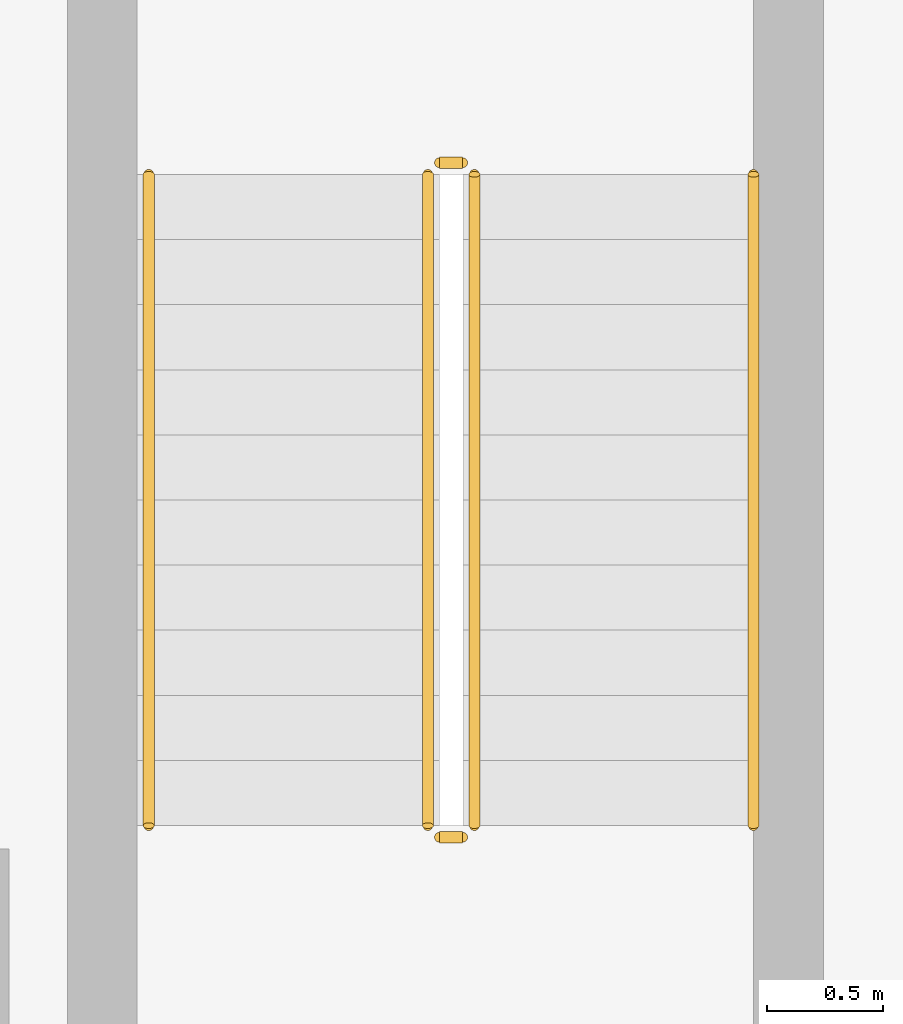
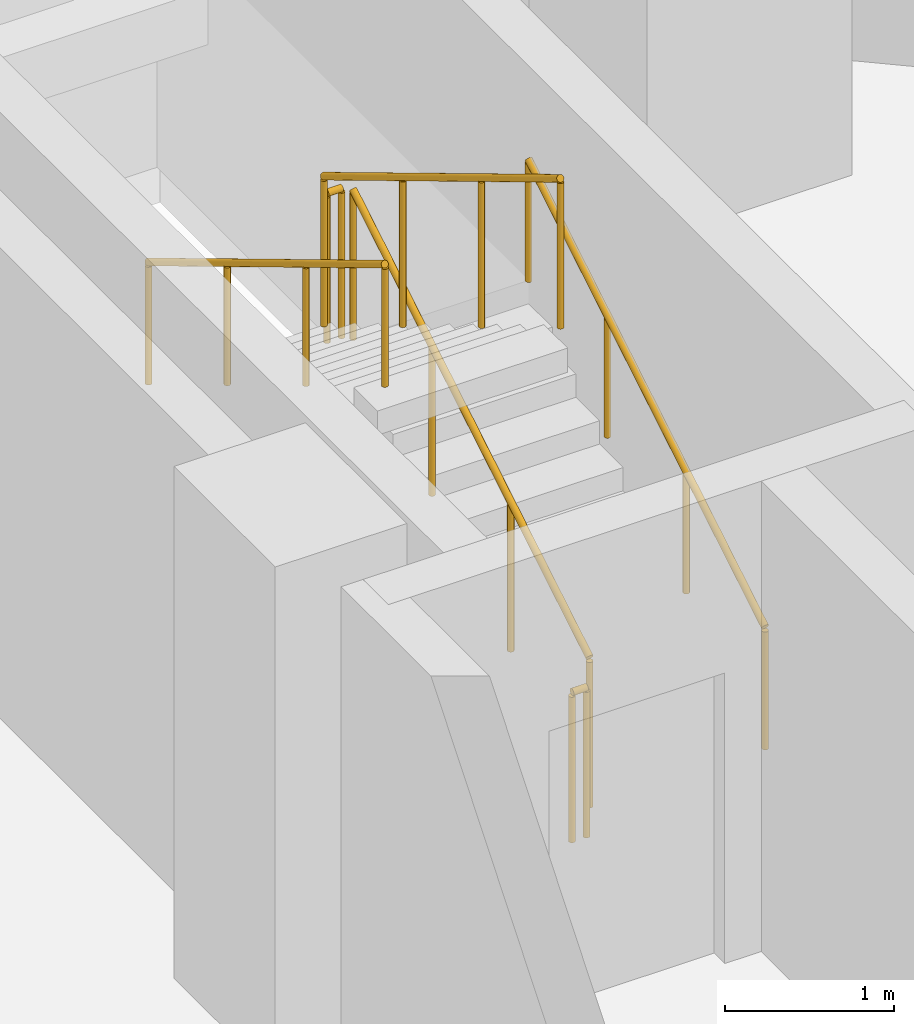
# One storey, part 30 of 31: 6 railings.
"""IFC4 building model written with IfcOpenShell, lengths in metres."""

from ifc_helpers import new_model, si_unit, direction, frame, origin, origin_2d, place, context, subcontext, project, spatial, circle, extrude, material, type_object, element, save


model = new_model("IFC4")

# Units and contexts
model_context = context("Model", 3, precision=1e-05, world=origin(), true_north=direction((0.0, 1.0)))
body_context = subcontext(model_context, "Body", "Model", "MODEL_VIEW")
ifc_project = project(units=[si_unit("LENGTHUNIT", "METRE"), si_unit("AREAUNIT", "SQUARE_METRE"), si_unit("VOLUMEUNIT", "CUBIC_METRE"), si_unit("PLANEANGLEUNIT", "RADIAN"), si_unit("MASSUNIT", "GRAM", prefix="KILO")], contexts=[model_context])

# Site, building, storey
site_placement = place(None, origin())
site = spatial("IfcSite", under=ifc_project, at=site_placement, CompositionType="ELEMENT")
building_placement = place(site_placement, origin())
building = spatial("IfcBuilding", under=site, at=building_placement, Name="Ogive Portal Towers", CompositionType="ELEMENT")
storey_placement = place(building_placement, frame((0.0, 0.0, 74.199951171875)))
storey = spatial("IfcBuildingStorey", under=building, at=storey_placement, Name="L17", CompositionType="ELEMENT", Elevation=74.199951171875)

# Railings
ifc_material_1 = material(Name="Stainless steel balustrade", Category="steel")
railing_type_1 = type_object("IfcRailingType", Name="INT-GUARD", PredefinedType="GUARDRAIL", material=ifc_material_1)
railing_1_placement = place(storey_placement, frame((42.949951171875, 67.199951171875, 0.168212890625)))
element("IfcRailing", 1, at=railing_1_placement, inside=storey, type_object=railing_type_1, Name="L17 ST-A3 stair guard 1", PredefinedType="GUARDRAIL", context=body_context, shape_type="SweptSolid", body=[
    extrude(circle(Radius=0.02392578125, at=origin_2d()), frame((0.0, 0.0, 1.076171875), z_axis=(0.0, 0.857242210791, 0.514913383045), x_axis=(-1.0, 0.0, 0.0)), (0.0, 0.0, 1.0), 3.266357421875),
    extrude(circle(Radius=0.02099609375, at=origin_2d()), origin(), (0.0, 0.0, 1.0), 1.052001953125),
    extrude(circle(Radius=0.02099609375, at=origin_2d()), frame((0.0, 0.933349609375, 0.560546875)), (0.0, 0.0, 1.0), 1.052001953125),
    extrude(circle(Radius=0.02099609375, at=origin_2d()), frame((0.0, 1.86669921875, 1.121337890625)), (0.0, 0.0, 1.0), 1.052001953125),
    extrude(circle(Radius=0.02099609375, at=origin_2d()), frame((0.0, 2.800048828125, 1.681884765625)), (0.0, 0.0, 1.0), 1.052001953125),
])
railing_2_placement = place(storey_placement, frame((42.89990234375, 70.050048828125, 1.85009765625)))
element("IfcRailing", 2, at=railing_2_placement, inside=storey, type_object=railing_type_1, Name="L17 ST-A3 stair guard 2", PredefinedType="GUARDRAIL", context=body_context, shape_type="SweptSolid", body=[
    extrude(circle(Radius=0.02392578125, at=origin_2d()), frame((0.0, 0.0, 1.076171875), z_axis=(-1.0, 0.0, 0.0), x_axis=(0.0, -1.0, 0.0)), (0.0, 0.0, 1.0), 0.099853515625),
    extrude(circle(Radius=0.02099609375, at=origin_2d()), origin(), (0.0, 0.0, 1.0), 1.052001953125),
    extrude(circle(Radius=0.02099609375, at=origin_2d()), frame((-0.099853515625, 0.0, 0.0)), (0.0, 0.0, 1.0), 1.052001953125),
])
railing_3_placement = place(storey_placement, frame((42.75, 70.0, 2.018310546875)))
element("IfcRailing", 3, at=railing_3_placement, inside=storey, type_object=railing_type_1, Name="L17 ST-A3 stair guard 3", PredefinedType="GUARDRAIL", context=body_context, shape_type="SweptSolid", body=[
    extrude(circle(Radius=0.02392578125, at=origin_2d()), frame((0.0, 0.0, 1.076171875), z_axis=(0.0, -0.857275202839, 0.514858452973), x_axis=(1.0, 0.0, 0.0)), (0.0, 0.0, 1.0), 3.26611328125),
    extrude(circle(Radius=0.02099609375, at=origin_2d()), origin(), (0.0, 0.0, 1.0), 1.052001953125),
    extrude(circle(Radius=0.02099609375, at=origin_2d()), frame((0.0, -0.933349609375, 0.560546875)), (0.0, 0.0, 1.0), 1.052001953125),
    extrude(circle(Radius=0.02099609375, at=origin_2d()), frame((0.0, -1.86669921875, 1.12109375)), (0.0, 0.0, 1.0), 1.052001953125),
    extrude(circle(Radius=0.02099609375, at=origin_2d()), frame((0.0, -2.800048828125, 1.681640625)), (0.0, 0.0, 1.0), 1.052001953125),
])
railing_4_placement = place(storey_placement, frame((42.89990234375, 67.14990234375, 0.0)))
element("IfcRailing", 4, at=railing_4_placement, inside=storey, type_object=railing_type_1, Name="L17 ST-A3 stair guard 4", PredefinedType="GUARDRAIL", context=body_context, shape_type="SweptSolid", body=[
    extrude(circle(Radius=0.02392578125, at=origin_2d()), frame((0.0, 0.0, 1.076171875), z_axis=(-1.0, 0.0, 0.0), x_axis=(0.0, -1.0, 0.0)), (0.0, 0.0, 1.0), 0.099853515625),
    extrude(circle(Radius=0.02099609375, at=origin_2d()), origin(), (0.0, 0.0, 1.0), 1.052001953125),
    extrude(circle(Radius=0.02099609375, at=origin_2d()), frame((-0.099853515625, 0.0, 0.0)), (0.0, 0.0, 1.0), 1.052001953125),
])
ifc_material_2 = material(Name="Stainless steel handrail", Category="steel")
railing_type_2 = type_object("IfcRailingType", Name="INT-HANDRAIL", PredefinedType="HANDRAIL", material=ifc_material_2)
railing_5_placement = place(storey_placement, frame((44.14990234375, 67.199951171875, 0.168212890625)))
element("IfcRailing", 5, at=railing_5_placement, inside=storey, type_object=railing_type_2, Name="L17 ST-A3 stair handrail 1", PredefinedType="HANDRAIL", context=body_context, shape_type="SweptSolid", body=[
    extrude(circle(Radius=0.02392578125, at=origin_2d()), frame((0.0, 0.0, 0.8759765625), z_axis=(0.0, 0.857242210791, 0.514913383045), x_axis=(-1.0, 0.0, 0.0)), (0.0, 0.0, 1.0), 3.266357421875),
    extrude(circle(Radius=0.02099609375, at=origin_2d()), origin(), (0.0, 0.0, 1.0), 0.851806640625),
    extrude(circle(Radius=0.02099609375, at=origin_2d()), frame((0.0, 0.933349609375, 0.560546875)), (0.0, 0.0, 1.0), 0.851806640625),
    extrude(circle(Radius=0.02099609375, at=origin_2d()), frame((0.0, 1.86669921875, 1.121337890625)), (0.0, 0.0, 1.0), 0.851806640625),
    extrude(circle(Radius=0.02099609375, at=origin_2d()), frame((0.0, 2.800048828125, 1.681884765625)), (0.0, 0.0, 1.0), 0.851806640625),
])
railing_6_placement = place(storey_placement, frame((41.550048828125, 70.0, 2.018310546875)))
element("IfcRailing", 6, at=railing_6_placement, inside=storey, type_object=railing_type_2, Name="L17 ST-A3 stair handrail 2", PredefinedType="HANDRAIL", context=body_context, shape_type="SweptSolid", body=[
    extrude(circle(Radius=0.02392578125, at=origin_2d()), frame((0.0, 0.0, 0.8759765625), z_axis=(0.0, -0.857275202839, 0.514858452973), x_axis=(1.0, 0.0, 0.0)), (0.0, 0.0, 1.0), 3.26611328125),
    extrude(circle(Radius=0.02099609375, at=origin_2d()), origin(), (0.0, 0.0, 1.0), 0.851806640625),
    extrude(circle(Radius=0.02099609375, at=origin_2d()), frame((0.0, -0.933349609375, 0.560546875)), (0.0, 0.0, 1.0), 0.851806640625),
    extrude(circle(Radius=0.02099609375, at=origin_2d()), frame((0.0, -1.86669921875, 1.12109375)), (0.0, 0.0, 1.0), 0.851806640625),
    extrude(circle(Radius=0.02099609375, at=origin_2d()), frame((0.0, -2.800048828125, 1.681640625)), (0.0, 0.0, 1.0), 0.851806640625),
])

save(model, "model.ifc")
